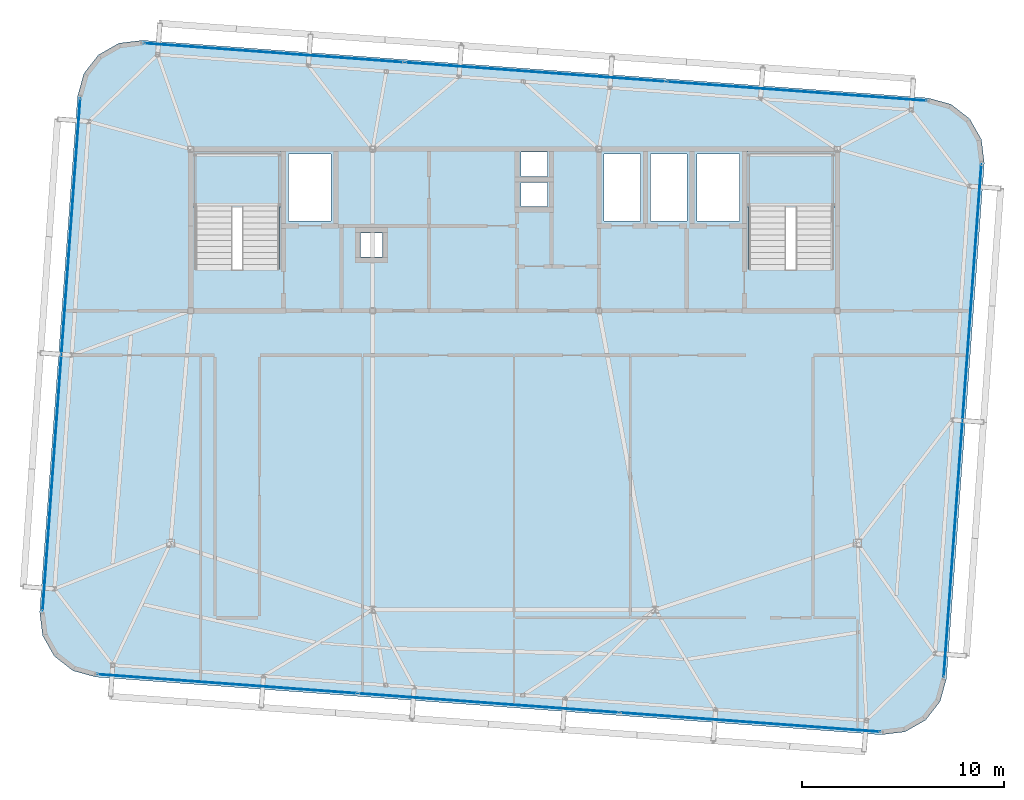
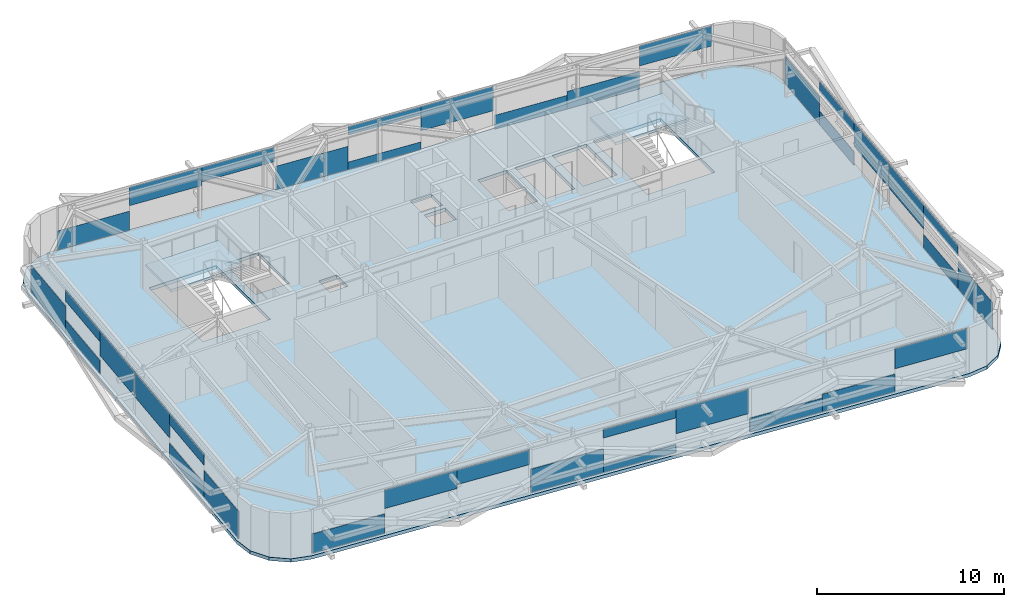
# One storey, part 23 of 34: 36 plates, 3 slabs, 6 elements without a shape of their own.
"""IFC4 building model written with IfcOpenShell, lengths in metres."""

from ifc_helpers import new_model, si_unit, direction, frame, origin, origin_2d, place, context, subcontext, project, spatial, polyline, rectangle, outline, extrude, source, transform, mapped, material, layer, layer_set, type_object, element, aggregate, save


model = new_model("IFC4")

# Units and contexts
model_context = context("Model", 3, precision=1e-05, world=origin(), true_north=direction((0.0, 1.0)))
body_context = subcontext(model_context, "Body", "Model", "MODEL_VIEW")
ifc_project = project(units=[si_unit("LENGTHUNIT", "METRE"), si_unit("AREAUNIT", "SQUARE_METRE"), si_unit("VOLUMEUNIT", "CUBIC_METRE"), si_unit("PLANEANGLEUNIT", "RADIAN"), si_unit("MASSUNIT", "GRAM", prefix="KILO")], contexts=[model_context])

# Site, building, storey
site_placement = place(None, origin())
site = spatial("IfcSite", under=ifc_project, at=site_placement, CompositionType="ELEMENT")
building_placement = place(site_placement, origin())
building = spatial("IfcBuilding", under=site, at=building_placement, Name="Taldren Reach Tower", CompositionType="ELEMENT")
storey_placement = place(building_placement, frame((0.0, 0.0, 246.050048828125)))
storey = spatial("IfcBuildingStorey", under=building, at=storey_placement, Name="L75", CompositionType="ELEMENT", Elevation=246.050048828125)

# Slab
ifc_material_1 = material(Name="Concrete N40 (40 MPa)", Category="concrete")
ifc_layer_1 = layer(ifc_material_1, 0.219970703125)
ifc_layer_set_1 = layer_set([ifc_layer_1], Name="Concrete N40 (40 MPa)")
slab_type_1 = type_object("IfcSlabType", Name="SL-FLR-220", PredefinedType="FLOOR", material=ifc_layer_set_1)
slab_1_placement = place(storey_placement, frame((0.0, 0.0, -0.219970703125)))
element("IfcSlab", 1, at=slab_1_placement, inside=storey, type_object=slab_type_1, Name="Suspended floor slab L75", PredefinedType="FLOOR", context=body_context, shape_type="SweptSolid", body=[
    extrude(outline(polyline([(53.1904296875, 3.014404296875), (54.35205078125, 3.157958984375), (55.370361328125, 3.7353515625), (56.09033203125, 4.658203125), (56.402099609375, 5.78662109375), (58.277099609375, 31.31787109375), (58.13330078125, 32.4794921875), (57.55615234375, 33.497802734375), (56.633056640625, 34.217529296875), (55.5048828125, 34.529541015625), (16.609619140625, 37.3857421875), (15.44775390625, 37.241943359375), (14.429443359375, 36.664794921875), (13.709716796875, 35.74169921875), (13.39794921875, 34.613525390625), (11.52294921875, 9.082275390625), (11.666748046875, 7.920654296875), (12.243896484375, 6.90234375), (13.1669921875, 6.182373046875), (14.295166015625, 5.87060546875), (53.1904296875, 3.014404296875)]), holes=[polyline([(19.219970703125, 26.050048828125), (23.3798828125, 26.050048828125), (23.3798828125, 31.820068359375), (19.219970703125, 31.820068359375), (19.219970703125, 26.050048828125)]), polyline([(46.6201171875, 26.050048828125), (50.780029296875, 26.050048828125), (50.780029296875, 31.820068359375), (46.6201171875, 31.820068359375), (46.6201171875, 26.050048828125)]), polyline([(23.85009765625, 28.449951171875), (25.949951171875, 28.449951171875), (25.949951171875, 31.75), (23.85009765625, 31.75), (23.85009765625, 28.449951171875)]), polyline([(44.050048828125, 28.449951171875), (46.14990234375, 28.449951171875), (46.14990234375, 31.75), (44.050048828125, 31.75), (44.050048828125, 28.449951171875)]), polyline([(39.449951171875, 28.449951171875), (41.25, 28.449951171875), (41.25, 31.75), (39.449951171875, 31.75), (39.449951171875, 28.449951171875)]), polyline([(41.75, 28.449951171875), (43.550048828125, 28.449951171875), (43.550048828125, 31.75), (41.75, 31.75), (41.75, 28.449951171875)]), polyline([(35.35009765625, 30.64990234375), (36.64990234375, 30.64990234375), (36.64990234375, 31.85009765625), (35.35009765625, 31.85009765625), (35.35009765625, 30.64990234375)]), polyline([(35.35009765625, 29.14990234375), (36.64990234375, 29.14990234375), (36.64990234375, 30.35009765625), (35.35009765625, 30.35009765625), (35.35009765625, 29.14990234375)]), polyline([(27.39990234375, 26.64990234375), (28.5, 26.64990234375), (28.5, 27.85009765625), (27.39990234375, 27.85009765625), (27.39990234375, 26.64990234375)])]), origin(), (0.0, 0.0, 1.0), 0.219970703125),
])

# Stair, slab
ifc_material_2 = material(Name="Concrete S50 (50 MPa)", Category="concrete")
stair_type = type_object("IfcStairType", Name="ST-HT-315", PredefinedType="HALF_TURN_STAIR", material=ifc_material_2)
stair_1_placement = place(storey_placement, origin())
stair_1 = element("IfcStair", 2, at=stair_1_placement, inside=storey, type_object=stair_type, Name="Fire-isolated exit stair ST1 L75", PredefinedType="HALF_TURN_STAIR")
ifc_layer_2 = layer(ifc_material_2, 0.179931640625)
ifc_layer_set_2 = layer_set([ifc_layer_2], Name="Concrete S50 (50 MPa)")
slab_type_2 = type_object("IfcSlabType", Name="SL-LAND-180", PredefinedType="LANDING", material=ifc_layer_set_2)
slab_2_placement = place(storey_placement, frame((0.0, 0.0, 1.39501953125)))
slab_2 = element("IfcSlab", 3, at=slab_2_placement, type_object=slab_type_2, Name="ST1 landing 1", PredefinedType="LANDING", context=body_context, shape_type="SweptSolid", body=[
    extrude(outline(polyline([(19.0400390625, 29.135009765625), (23.56005859375, 29.135009765625), (23.56005859375, 31.8701171875), (19.0400390625, 31.8701171875), (19.0400390625, 29.135009765625)])), origin(), (0.0, 0.0, 1.0), 0.179931640625),
])
aggregate(stair_1, [slab_2])

stair_2_placement = place(storey_placement, origin())
stair_2 = element("IfcStair", 4, at=stair_2_placement, inside=storey, type_object=stair_type, Name="Fire-isolated exit stair ST2 L75", PredefinedType="HALF_TURN_STAIR")
slab_3_placement = place(storey_placement, frame((0.0, 0.0, 1.39501953125)))
slab_3 = element("IfcSlab", 5, at=slab_3_placement, type_object=slab_type_2, Name="ST2 landing 1", PredefinedType="LANDING", context=body_context, shape_type="SweptSolid", body=[
    extrude(outline(polyline([(46.43994140625, 29.135009765625), (50.9599609375, 29.135009765625), (50.9599609375, 31.8701171875), (46.43994140625, 31.8701171875), (46.43994140625, 29.135009765625)])), origin(), (0.0, 0.0, 1.0), 0.179931640625),
])
aggregate(stair_2, [slab_3])

# Curtain wall, plate
ifc_material_3 = material(Name="Aluminium and Low-E Glass Unitised System", Category="aluminium")
ifc_layer_3 = layer(ifc_material_3, 0.159912109375)
ifc_layer_set_3 = layer_set([ifc_layer_3], Name="Aluminium and Low-E Glass Unitised System")
curtain_wall_type = type_object("IfcCurtainWallType", Name="CW-SYS-6", PredefinedType="NOTDEFINED", material=ifc_layer_set_3)
curtain_wall_1_placement = place(storey_placement, origin())
curtain_wall_1 = element("IfcCurtainWall", 6, at=curtain_wall_1_placement, inside=storey, type_object=curtain_wall_type, Name="Unitised curtain wall CW-L75-S", PredefinedType="NOTDEFINED")
ifc_material_4 = material(Name="Acoustic Triple-Laminated IGU", Category="glass")
ifc_layer_4 = layer(ifc_material_4, 0.035888671875)
ifc_layer_set_4 = layer_set([ifc_layer_4], Name="Acoustic Triple-Laminated IGU")
plate_type = type_object("IfcPlateType", Name="CW-PNL-IGU36", PredefinedType="CURTAIN_PANEL", material=ifc_layer_set_4)
shared_shape_1 = source(origin(), body_context, "Body", "SweptSolid", [
    extrude(rectangle(XDim=4.2958984375, YDim=0.035888671875, at=origin_2d()), origin(), (0.0, 0.0, 1.0), 1.314208984375),
])
plate_1_placement = place(storey_placement, frame((50.98388671875, 3.316650390625, 1.5556640625), z_axis=(0.0, 0.0, 1.0), x_axis=(0.997314476006, -0.073238213716, 0.0)))
plate_1 = element("IfcPlate", 7, at=plate_1_placement, type_object=plate_type, Name="CW-6 panel 3.1 part 3", PredefinedType="CURTAIN_PANEL", context=body_context, shape_type="MappedRepresentation", body=[
    mapped(shared_shape_1, transform((0.0, 0.0, 0.0), scale=1.0)),
])

curtain_wall_2_placement = place(storey_placement, origin())
curtain_wall_2 = element("IfcCurtainWall", 8, at=curtain_wall_2_placement, inside=storey, type_object=curtain_wall_type, Name="Unitised curtain wall CW-L75-N", PredefinedType="NOTDEFINED")
plate_2_placement = place(storey_placement, frame((53.277587890625, 34.552490234375, 1.5556640625), z_axis=(0.0, 0.0, 1.0), x_axis=(-0.997314476006, 0.073238213716, 0.0)))
plate_2 = element("IfcPlate", 9, at=plate_2_placement, type_object=plate_type, Name="CW-6 panel 1.1 part 1", PredefinedType="CURTAIN_PANEL", context=body_context, shape_type="MappedRepresentation", body=[
    mapped(shared_shape_1, transform((0.0, 0.0, 0.0), scale=1.0)),
])

# Plate
shared_shape_2 = source(origin(), body_context, "Body", "SweptSolid", [
    extrude(rectangle(XDim=4.2958984375, YDim=0.035888671875, at=origin_2d()), origin(), (0.0, 0.0, 1.0), 1.144287109375),
])
plate_3_placement = place(storey_placement, frame((46.699462890625, 3.63134765625, 0.06005859375), z_axis=(0.0, 0.0, 1.0), x_axis=(0.997314476006, -0.073238213716, 0.0)))
plate_3 = element("IfcPlate", 10, at=plate_3_placement, type_object=plate_type, Name="CW-6 panel 3.1 part 2", PredefinedType="CURTAIN_PANEL", context=body_context, shape_type="MappedRepresentation", body=[
    mapped(shared_shape_2, transform((0.0, 0.0, 0.0), scale=1.0)),
])

plate_4_placement = place(storey_placement, frame((48.993408203125, 34.8671875, 0.06005859375), z_axis=(0.0, 0.0, 1.0), x_axis=(-0.997314476006, 0.073238213716, 0.0)))
plate_4 = element("IfcPlate", 11, at=plate_4_placement, type_object=plate_type, Name="CW-6 panel 1.1 part 2", PredefinedType="CURTAIN_PANEL", context=body_context, shape_type="MappedRepresentation", body=[
    mapped(shared_shape_2, transform((0.0, 0.0, 0.0), scale=1.0)),
])

shared_shape_3 = source(origin(), body_context, "Body", "SweptSolid", [
    extrude(rectangle(XDim=4.2958984375, YDim=0.035888671875, at=origin_2d()), origin(), (0.0, 0.0, 1.0), 0.89306640625),
])
plate_5_placement = place(storey_placement, frame((42.415283203125, 3.946044921875, 0.059814453125), z_axis=(0.0, 0.0, 1.0), x_axis=(0.997314476006, -0.073238213716, 0.0)))
plate_5 = element("IfcPlate", 12, at=plate_5_placement, type_object=plate_type, Name="CW-6 panel 3.1 part 1", PredefinedType="CURTAIN_PANEL", context=body_context, shape_type="MappedRepresentation", body=[
    mapped(shared_shape_3, transform((0.0, 0.0, 0.0), scale=1.0)),
])

plate_6_placement = place(storey_placement, frame((44.708984375, 35.181884765625, 0.059814453125), z_axis=(0.0, 0.0, 1.0), x_axis=(-0.997314476006, 0.073238213716, 0.0)))
plate_6 = element("IfcPlate", 13, at=plate_6_placement, type_object=plate_type, Name="CW-6 panel 1.1 part 3", PredefinedType="CURTAIN_PANEL", context=body_context, shape_type="MappedRepresentation", body=[
    mapped(shared_shape_3, transform((0.0, 0.0, 0.0), scale=1.0)),
])

shared_shape_4 = source(origin(), body_context, "Body", "SweptSolid", [
    extrude(rectangle(XDim=4.308349609375, YDim=0.035888671875, at=origin_2d()), origin(), (0.0, 0.0, 1.0), 1.589599609375),
])
plate_7_placement = place(storey_placement, frame((38.0498046875, 4.2666015625, 1.2802734375), z_axis=(0.0, 0.0, 1.0), x_axis=(0.997314476006, -0.073238213716, 0.0)))
plate_7 = element("IfcPlate", 14, at=plate_7_placement, type_object=plate_type, Name="CW-6 panel 2.1 part 4", PredefinedType="CURTAIN_PANEL", context=body_context, shape_type="MappedRepresentation", body=[
    mapped(shared_shape_4, transform((0.0, 0.0, 0.0), scale=1.0)),
])

plate_8_placement = place(storey_placement, frame((40.34375, 35.50244140625, 1.2802734375), z_axis=(0.0, 0.0, 1.0), x_axis=(-0.997314476006, 0.073238213716, 0.0)))
plate_8 = element("IfcPlate", 15, at=plate_8_placement, type_object=plate_type, Name="CW-6 panel 2.1 part 1", PredefinedType="CURTAIN_PANEL", context=body_context, shape_type="MappedRepresentation", body=[
    mapped(shared_shape_4, transform((0.0, 0.0, 0.0), scale=1.0)),
])

shared_shape_5 = source(origin(), body_context, "Body", "SweptSolid", [
    extrude(rectangle(XDim=4.308349609375, YDim=0.035888671875, at=origin_2d()), origin(), (0.0, 0.0, 1.0), 0.499267578125),
])
plate_9_placement = place(storey_placement, frame((33.753173828125, 4.58203125, 0.06005859375), z_axis=(0.0, 0.0, 1.0), x_axis=(0.997314476006, -0.073238213716, 0.0)))
plate_9 = element("IfcPlate", 16, at=plate_9_placement, type_object=plate_type, Name="CW-6 panel 2.1 part 2", PredefinedType="CURTAIN_PANEL", context=body_context, shape_type="MappedRepresentation", body=[
    mapped(shared_shape_5, transform((0.0, 0.0, 0.0), scale=1.0)),
])

plate_10_placement = place(storey_placement, frame((36.046875, 35.81787109375, 0.06005859375), z_axis=(0.0, 0.0, 1.0), x_axis=(-0.997314476006, 0.073238213716, 0.0)))
plate_10 = element("IfcPlate", 17, at=plate_10_placement, type_object=plate_type, Name="CW-6 panel 2.1 part 2", PredefinedType="CURTAIN_PANEL", context=body_context, shape_type="MappedRepresentation", body=[
    mapped(shared_shape_5, transform((0.0, 0.0, 0.0), scale=1.0)),
])

shared_shape_6 = source(origin(), body_context, "Body", "SweptSolid", [
    extrude(rectangle(XDim=4.308349609375, YDim=0.035888671875, at=origin_2d()), origin(), (0.0, 0.0, 1.0), 0.559326171875),
])
plate_11_placement = place(storey_placement, frame((33.753173828125, 4.58203125, 2.310546875), z_axis=(0.0, 0.0, 1.0), x_axis=(0.997314476006, -0.073238213716, 0.0)))
plate_11 = element("IfcPlate", 18, at=plate_11_placement, type_object=plate_type, Name="CW-6 panel 2.1 part 3", PredefinedType="CURTAIN_PANEL", context=body_context, shape_type="MappedRepresentation", body=[
    mapped(shared_shape_6, transform((0.0, 0.0, 0.0), scale=1.0)),
])

plate_12_placement = place(storey_placement, frame((36.046875, 35.81787109375, 2.310546875), z_axis=(0.0, 0.0, 1.0), x_axis=(-0.997314476006, 0.073238213716, 0.0)))
plate_12 = element("IfcPlate", 19, at=plate_12_placement, type_object=plate_type, Name="CW-6 panel 2.1 part 3", PredefinedType="CURTAIN_PANEL", context=body_context, shape_type="MappedRepresentation", body=[
    mapped(shared_shape_6, transform((0.0, 0.0, 0.0), scale=1.0)),
])

shared_shape_7 = source(origin(), body_context, "Body", "SweptSolid", [
    extrude(rectangle(XDim=4.308349609375, YDim=0.035888671875, at=origin_2d()), origin(), (0.0, 0.0, 1.0), 1.52978515625),
])
plate_13_placement = place(storey_placement, frame((29.456298828125, 4.897705078125, 0.059814453125), z_axis=(0.0, 0.0, 1.0), x_axis=(0.997314476006, -0.073238213716, 0.0)))
plate_13 = element("IfcPlate", 20, at=plate_13_placement, type_object=plate_type, Name="CW-6 panel 2.1 part 1", PredefinedType="CURTAIN_PANEL", context=body_context, shape_type="MappedRepresentation", body=[
    mapped(shared_shape_7, transform((0.0, 0.0, 0.0), scale=1.0)),
])

plate_14_placement = place(storey_placement, frame((31.750244140625, 36.133544921875, 0.059814453125), z_axis=(0.0, 0.0, 1.0), x_axis=(-0.997314476006, 0.073238213716, 0.0)))
plate_14 = element("IfcPlate", 21, at=plate_14_placement, type_object=plate_type, Name="CW-6 panel 2.1 part 4", PredefinedType="CURTAIN_PANEL", context=body_context, shape_type="MappedRepresentation", body=[
    mapped(shared_shape_7, transform((0.0, 0.0, 0.0), scale=1.0)),
])

shared_shape_8 = source(origin(), body_context, "Body", "SweptSolid", [
    extrude(rectangle(XDim=4.2958984375, YDim=0.035888671875, at=origin_2d()), origin(), (0.0, 0.0, 1.0), 0.952880859375),
])
plate_15_placement = place(storey_placement, frame((25.091064453125, 5.21826171875, 1.9169921875), z_axis=(0.0, 0.0, 1.0), x_axis=(0.997314476006, -0.073238213716, 0.0)))
plate_15 = element("IfcPlate", 22, at=plate_15_placement, type_object=plate_type, Name="CW-6 panel 1.1 part 3", PredefinedType="CURTAIN_PANEL", context=body_context, shape_type="MappedRepresentation", body=[
    mapped(shared_shape_8, transform((0.0, 0.0, 0.0), scale=1.0)),
])

plate_16_placement = place(storey_placement, frame((27.384765625, 36.4541015625, 1.9169921875), z_axis=(0.0, 0.0, 1.0), x_axis=(-0.997314476006, 0.073238213716, 0.0)))
plate_16 = element("IfcPlate", 23, at=plate_16_placement, type_object=plate_type, Name="CW-6 panel 3.1 part 1", PredefinedType="CURTAIN_PANEL", context=body_context, shape_type="MappedRepresentation", body=[
    mapped(shared_shape_8, transform((0.0, 0.0, 0.0), scale=1.0)),
])

shared_shape_9 = source(origin(), body_context, "Body", "SweptSolid", [
    extrude(rectangle(XDim=4.2958984375, YDim=0.035888671875, at=origin_2d()), origin(), (0.0, 0.0, 1.0), 1.2041015625),
])
plate_17_placement = place(storey_placement, frame((20.806640625, 5.53271484375, 1.665771484375), z_axis=(0.0, 0.0, 1.0), x_axis=(0.997314476006, -0.073238213716, 0.0)))
plate_17 = element("IfcPlate", 24, at=plate_17_placement, type_object=plate_type, Name="CW-6 panel 1.1 part 2", PredefinedType="CURTAIN_PANEL", context=body_context, shape_type="MappedRepresentation", body=[
    mapped(shared_shape_9, transform((0.0, 0.0, 0.0), scale=1.0)),
])

plate_18_placement = place(storey_placement, frame((23.1005859375, 36.7685546875, 1.665771484375), z_axis=(0.0, 0.0, 1.0), x_axis=(-0.997314476006, 0.073238213716, 0.0)))
plate_18 = element("IfcPlate", 25, at=plate_18_placement, type_object=plate_type, Name="CW-6 panel 3.1 part 2", PredefinedType="CURTAIN_PANEL", context=body_context, shape_type="MappedRepresentation", body=[
    mapped(shared_shape_9, transform((0.0, 0.0, 0.0), scale=1.0)),
])

shared_shape_10 = source(origin(), body_context, "Body", "SweptSolid", [
    extrude(rectangle(XDim=4.2958984375, YDim=0.035888671875, at=origin_2d()), origin(), (0.0, 0.0, 1.0), 1.254150390625),
])
plate_19_placement = place(storey_placement, frame((16.5224609375, 5.847412109375, 0.06005859375), z_axis=(0.0, 0.0, 1.0), x_axis=(0.997314476006, -0.073238213716, 0.0)))
plate_19 = element("IfcPlate", 26, at=plate_19_placement, type_object=plate_type, Name="CW-6 panel 1.1 part 1", PredefinedType="CURTAIN_PANEL", context=body_context, shape_type="MappedRepresentation", body=[
    mapped(shared_shape_10, transform((0.0, 0.0, 0.0), scale=1.0)),
])

aggregate(curtain_wall_1, [plate_19, plate_17, plate_15, plate_13, plate_9, plate_11, plate_7, plate_5, plate_3, plate_1])

plate_20_placement = place(storey_placement, frame((18.816162109375, 37.083251953125, 0.06005859375), z_axis=(0.0, 0.0, 1.0), x_axis=(-0.997314476006, 0.073238213716, 0.0)))
plate_20 = element("IfcPlate", 27, at=plate_20_placement, type_object=plate_type, Name="CW-6 panel 3.1 part 3", PredefinedType="CURTAIN_PANEL", context=body_context, shape_type="MappedRepresentation", body=[
    mapped(shared_shape_10, transform((0.0, 0.0, 0.0), scale=1.0)),
])

aggregate(curtain_wall_2, [plate_2, plate_4, plate_6, plate_8, plate_10, plate_12, plate_14, plate_16, plate_18, plate_20])

# Curtain wall, plates
curtain_wall_3_placement = place(storey_placement, origin())
curtain_wall_3 = element("IfcCurtainWall", 28, at=curtain_wall_3_placement, inside=storey, type_object=curtain_wall_type, Name="Unitised curtain wall CW-L75-W", PredefinedType="NOTDEFINED")
shared_shape_11 = source(origin(), body_context, "Body", "SweptSolid", [
    extrude(rectangle(XDim=4.229248046875, YDim=0.035888671875, at=origin_2d()), origin(), (0.0, 0.0, 1.0), 1.768798828125),
])
plate_21_placement = place(storey_placement, frame((13.377197265625, 32.41943359375, 0.06005859375), z_axis=(0.0, 0.0, 1.0), x_axis=(-0.073238282558, -0.997314470951, 0.0)))
plate_21 = element("IfcPlate", 29, at=plate_21_placement, type_object=plate_type, Name="CW-6 panel 1.1 part 1", PredefinedType="CURTAIN_PANEL", context=body_context, shape_type="MappedRepresentation", body=[
    mapped(shared_shape_11, transform((0.0, 0.0, 0.0), scale=1.0)),
])
plate_22_placement = place(storey_placement, frame((11.822998046875, 11.255615234375, 0.06005859375), z_axis=(0.0, 0.0, 1.0), x_axis=(-0.073238282558, -0.997314470951, 0.0)))
plate_22 = element("IfcPlate", 30, at=plate_22_placement, type_object=plate_type, Name="CW-6 panel 2.1 part 4", PredefinedType="CURTAIN_PANEL", context=body_context, shape_type="MappedRepresentation", body=[
    mapped(shared_shape_11, transform((0.0, 0.0, 0.0), scale=1.0)),
])

curtain_wall_4_placement = place(storey_placement, origin())
curtain_wall_4 = element("IfcCurtainWall", 31, at=curtain_wall_4_placement, inside=storey, type_object=curtain_wall_type, Name="Unitised curtain wall CW-L75-E", PredefinedType="NOTDEFINED")
plate_23_placement = place(storey_placement, frame((56.4228515625, 7.98046875, 0.06005859375), z_axis=(0.0, 0.0, 1.0), x_axis=(0.073238282558, 0.997314470951, 0.0)))
plate_23 = element("IfcPlate", 32, at=plate_23_placement, type_object=plate_type, Name="CW-6 panel 1.1 part 1", PredefinedType="CURTAIN_PANEL", context=body_context, shape_type="MappedRepresentation", body=[
    mapped(shared_shape_11, transform((0.0, 0.0, 0.0), scale=1.0)),
])
plate_24_placement = place(storey_placement, frame((57.97705078125, 29.144287109375, 0.06005859375), z_axis=(0.0, 0.0, 1.0), x_axis=(0.073238282558, 0.997314470951, 0.0)))
plate_24 = element("IfcPlate", 33, at=plate_24_placement, type_object=plate_type, Name="CW-6 panel 2.1 part 4", PredefinedType="CURTAIN_PANEL", context=body_context, shape_type="MappedRepresentation", body=[
    mapped(shared_shape_11, transform((0.0, 0.0, 0.0), scale=1.0)),
])

# Plate
shared_shape_12 = source(origin(), body_context, "Body", "SweptSolid", [
    extrude(rectangle(XDim=4.229248046875, YDim=0.035888671875, at=origin_2d()), origin(), (0.0, 0.0, 1.0), 0.8828125),
])
plate_25_placement = place(storey_placement, frame((13.0673828125, 28.20166015625, 0.059814453125), z_axis=(0.0, 0.0, 1.0), x_axis=(-0.073238282558, -0.997314470951, 0.0)))
plate_25 = element("IfcPlate", 34, at=plate_25_placement, type_object=plate_type, Name="CW-6 panel 1.1 part 2", PredefinedType="CURTAIN_PANEL", context=body_context, shape_type="MappedRepresentation", body=[
    mapped(shared_shape_12, transform((0.0, 0.0, 0.0), scale=1.0)),
])

plate_26_placement = place(storey_placement, frame((12.1328125, 15.473388671875, 0.059814453125), z_axis=(0.0, 0.0, 1.0), x_axis=(-0.073238282558, -0.997314470951, 0.0)))
plate_26 = element("IfcPlate", 35, at=plate_26_placement, type_object=plate_type, Name="CW-6 panel 2.1 part 2", PredefinedType="CURTAIN_PANEL", context=body_context, shape_type="MappedRepresentation", body=[
    mapped(shared_shape_12, transform((0.0, 0.0, 0.0), scale=1.0)),
])

plate_27_placement = place(storey_placement, frame((56.732666015625, 12.1982421875, 0.059814453125), z_axis=(0.0, 0.0, 1.0), x_axis=(0.073238282558, 0.997314470951, 0.0)))
plate_27 = element("IfcPlate", 36, at=plate_27_placement, type_object=plate_type, Name="CW-6 panel 1.1 part 2", PredefinedType="CURTAIN_PANEL", context=body_context, shape_type="MappedRepresentation", body=[
    mapped(shared_shape_12, transform((0.0, 0.0, 0.0), scale=1.0)),
])

plate_28_placement = place(storey_placement, frame((57.667236328125, 24.926513671875, 0.059814453125), z_axis=(0.0, 0.0, 1.0), x_axis=(0.073238282558, 0.997314470951, 0.0)))
plate_28 = element("IfcPlate", 37, at=plate_28_placement, type_object=plate_type, Name="CW-6 panel 2.1 part 2", PredefinedType="CURTAIN_PANEL", context=body_context, shape_type="MappedRepresentation", body=[
    mapped(shared_shape_12, transform((0.0, 0.0, 0.0), scale=1.0)),
])

shared_shape_13 = source(origin(), body_context, "Body", "SweptSolid", [
    extrude(rectangle(XDim=4.229248046875, YDim=0.035888671875, at=origin_2d()), origin(), (0.0, 0.0, 1.0), 0.69921875),
])
plate_29_placement = place(storey_placement, frame((13.0673828125, 28.20166015625, 2.170654296875), z_axis=(0.0, 0.0, 1.0), x_axis=(-0.073238282558, -0.997314470951, 0.0)))
plate_29 = element("IfcPlate", 38, at=plate_29_placement, type_object=plate_type, Name="CW-6 panel 1.1 part 3", PredefinedType="CURTAIN_PANEL", context=body_context, shape_type="MappedRepresentation", body=[
    mapped(shared_shape_13, transform((0.0, 0.0, 0.0), scale=1.0)),
])

plate_30_placement = place(storey_placement, frame((12.1328125, 15.473388671875, 2.170654296875), z_axis=(0.0, 0.0, 1.0), x_axis=(-0.073238282558, -0.997314470951, 0.0)))
plate_30 = element("IfcPlate", 39, at=plate_30_placement, type_object=plate_type, Name="CW-6 panel 2.1 part 3", PredefinedType="CURTAIN_PANEL", context=body_context, shape_type="MappedRepresentation", body=[
    mapped(shared_shape_13, transform((0.0, 0.0, 0.0), scale=1.0)),
])

plate_31_placement = place(storey_placement, frame((56.732666015625, 12.1982421875, 2.170654296875), z_axis=(0.0, 0.0, 1.0), x_axis=(0.073238282558, 0.997314470951, 0.0)))
plate_31 = element("IfcPlate", 40, at=plate_31_placement, type_object=plate_type, Name="CW-6 panel 1.1 part 3", PredefinedType="CURTAIN_PANEL", context=body_context, shape_type="MappedRepresentation", body=[
    mapped(shared_shape_13, transform((0.0, 0.0, 0.0), scale=1.0)),
])

plate_32_placement = place(storey_placement, frame((57.667236328125, 24.926513671875, 2.170654296875), z_axis=(0.0, 0.0, 1.0), x_axis=(0.073238282558, 0.997314470951, 0.0)))
plate_32 = element("IfcPlate", 41, at=plate_32_placement, type_object=plate_type, Name="CW-6 panel 2.1 part 3", PredefinedType="CURTAIN_PANEL", context=body_context, shape_type="MappedRepresentation", body=[
    mapped(shared_shape_13, transform((0.0, 0.0, 0.0), scale=1.0)),
])

shared_shape_14 = source(origin(), body_context, "Body", "SweptSolid", [
    extrude(rectangle(XDim=4.229248046875, YDim=0.035888671875, at=origin_2d()), origin(), (0.0, 0.0, 1.0), 1.585205078125),
])
plate_33_placement = place(storey_placement, frame((12.757568359375, 23.98388671875, 1.28466796875), z_axis=(0.0, 0.0, 1.0), x_axis=(-0.073238282558, -0.997314470951, 0.0)))
plate_33 = element("IfcPlate", 42, at=plate_33_placement, type_object=plate_type, Name="CW-6 panel 1.1 part 4", PredefinedType="CURTAIN_PANEL", context=body_context, shape_type="MappedRepresentation", body=[
    mapped(shared_shape_14, transform((0.0, 0.0, 0.0), scale=1.0)),
])

plate_34_placement = place(storey_placement, frame((12.4423828125, 19.69140625, 1.28466796875), z_axis=(0.0, 0.0, 1.0), x_axis=(-0.073238282558, -0.997314470951, 0.0)))
plate_34 = element("IfcPlate", 43, at=plate_34_placement, type_object=plate_type, Name="CW-6 panel 2.1 part 1", PredefinedType="CURTAIN_PANEL", context=body_context, shape_type="MappedRepresentation", body=[
    mapped(shared_shape_14, transform((0.0, 0.0, 0.0), scale=1.0)),
])

aggregate(curtain_wall_3, [plate_21, plate_25, plate_29, plate_33, plate_34, plate_26, plate_30, plate_22])

plate_35_placement = place(storey_placement, frame((57.042236328125, 16.416015625, 1.28466796875), z_axis=(0.0, 0.0, 1.0), x_axis=(0.073238282558, 0.997314470951, 0.0)))
plate_35 = element("IfcPlate", 44, at=plate_35_placement, type_object=plate_type, Name="CW-6 panel 1.1 part 4", PredefinedType="CURTAIN_PANEL", context=body_context, shape_type="MappedRepresentation", body=[
    mapped(shared_shape_14, transform((0.0, 0.0, 0.0), scale=1.0)),
])

plate_36_placement = place(storey_placement, frame((57.357666015625, 20.708740234375, 1.28466796875), z_axis=(0.0, 0.0, 1.0), x_axis=(0.073238282558, 0.997314470951, 0.0)))
plate_36 = element("IfcPlate", 45, at=plate_36_placement, type_object=plate_type, Name="CW-6 panel 2.1 part 1", PredefinedType="CURTAIN_PANEL", context=body_context, shape_type="MappedRepresentation", body=[
    mapped(shared_shape_14, transform((0.0, 0.0, 0.0), scale=1.0)),
])

aggregate(curtain_wall_4, [plate_23, plate_27, plate_31, plate_35, plate_36, plate_28, plate_32, plate_24])

save(model, "model.ifc")
